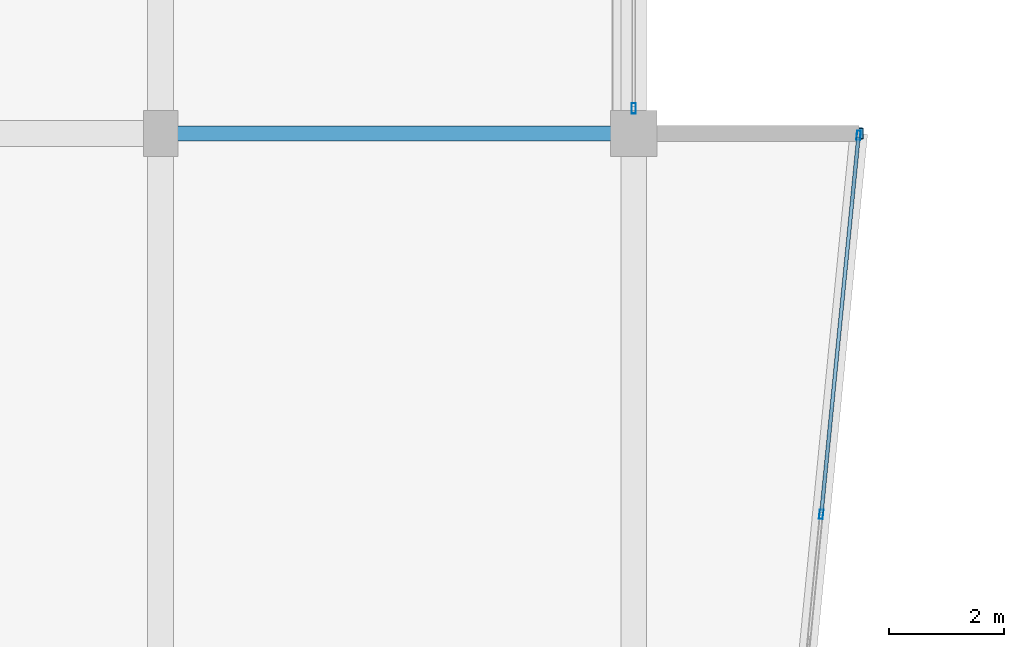
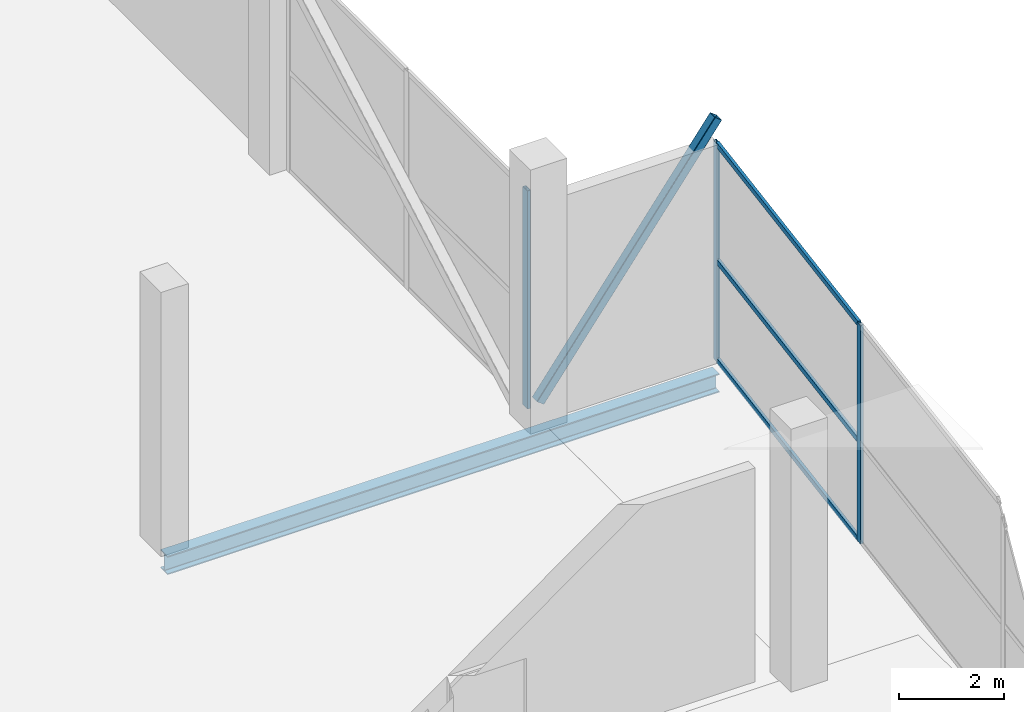
# One storey, part 23 of 58: 7 members, 1 beam, 2 elements without a shape of their own.
"""IFC4 building model written with IfcOpenShell, lengths in metres."""

from ifc_helpers import new_model, si_unit, direction, frame, origin, origin_2d, place, context, subcontext, project, spatial, hollow_rectangle, i_section, extrude, material, layer, layer_set, material_profile, profile_set, type_object, element, aggregate, save


model = new_model("IFC4")

# Units and contexts
model_context = context("Model", 3, precision=1e-05, world=origin(), true_north=direction((0.0, 1.0)))
body_context = subcontext(model_context, "Body", "Model", "MODEL_VIEW")
ifc_project = project(units=[si_unit("LENGTHUNIT", "METRE"), si_unit("AREAUNIT", "SQUARE_METRE"), si_unit("VOLUMEUNIT", "CUBIC_METRE"), si_unit("PLANEANGLEUNIT", "RADIAN"), si_unit("MASSUNIT", "GRAM", prefix="KILO")], contexts=[model_context])

# Site, building, storey
site_placement = place(None, origin())
site = spatial("IfcSite", under=ifc_project, at=site_placement, CompositionType="ELEMENT")
building_placement = place(site_placement, origin())
building = spatial("IfcBuilding", under=site, at=building_placement, Name="Sillaruma Civic Art Gallery", CompositionType="ELEMENT")
storey_placement = place(building_placement, frame((0.0, 0.0, 22.43994140625)))
storey = spatial("IfcBuildingStorey", under=building, at=storey_placement, Name="L04", CompositionType="ELEMENT", Elevation=22.43994140625)

# Beam
ifc_material_1 = material(Name="Structural Steel ASTM A992 Gr.50", Category="steel")
ifc_material_profile_1 = material_profile(ifc_material_1, i_section(OverallWidth=0.264892578125, OverallDepth=0.430908203125, WebThickness=0.014892578125, FlangeThickness=0.02490234375, FilletRadius=0.012939453125, at=origin_2d()), Name="W410x149")
ifc_profile_set_1 = profile_set([ifc_material_profile_1], Name="Structural Steel ASTM A992 Gr.50")
beam_type = type_object("IfcBeamType", Name="BM-PROW-W410x149", PredefinedType="BEAM", material=ifc_profile_set_1)
beam_placement = place(storey_placement, frame((106.199951171875, 69.300048828125, -0.475341796875), z_axis=(1.0, 0.0, 0.0), x_axis=(0.0, 1.0, 0.0)))
element("IfcBeam", 1, at=beam_placement, inside=storey, type_object=beam_type, Name="Back-Spanned Prow Beam (PRW-L04-E-FLR-N)", PredefinedType="BEAM", context=body_context, shape_type="SweptSolid", body=[
    extrude(i_section(OverallWidth=0.264892578125, OverallDepth=0.430908203125, WebThickness=0.014892578125, FlangeThickness=0.02490234375, FilletRadius=0.012939453125, at=origin_2d()), origin(), (0.0, 0.0, 1.0), 12.10009765625),
])

# Curtain wall, members
ifc_material_2 = material(Name="Thermally Broken Extruded Aluminium 6063-T6", Category="aluminium")
ifc_layer_1 = layer(ifc_material_2, 0.159912109375, Name="Thermally Broken Extruded Aluminium 6063-T6")
ifc_layer_set_1 = layer_set([ifc_layer_1], Name="Thermally Broken Extruded Aluminium 6063-T6")
curtain_wall_type_1 = type_object("IfcCurtainWallType", Name="CW-UNI-25", PredefinedType="NOTDEFINED", material=ifc_layer_set_1)
curtain_wall_1_placement = place(storey_placement, origin())
curtain_wall_1 = element("IfcCurtainWall", 2, at=curtain_wall_1_placement, inside=storey, type_object=curtain_wall_type_1, Name="Unitised Curtain Wall CW-25 (CW-PRW-L04-E-ANG)", PredefinedType="NOTDEFINED")
ifc_material_profile_2 = material_profile(ifc_material_2, hollow_rectangle(XDim=0.06494140625, YDim=0.159912109375, WallThickness=0.00390625, at=origin_2d()), Name="CWM65x160")
ifc_profile_set_2 = profile_set([ifc_material_profile_2], Name="Thermally Broken Extruded Aluminium 6063-T6")
member_type_1 = type_object("IfcMemberType", Name="MEM-MUL-CWM65x160", PredefinedType="MULLION", material=ifc_profile_set_2)
member_1_placement = place(storey_placement, frame((117.64990234375, 62.699951171875, 0.0), z_axis=(0.0, 0.0, 1.0), x_axis=(-0.99518536297, 0.098010679679, 0.0)))
member_1 = element("IfcMember", 3, at=member_1_placement, type_object=member_type_1, Name="CW-25 mullion 3", PredefinedType="MULLION", context=body_context, shape_type="SweptSolid", body=[
    extrude(hollow_rectangle(XDim=0.06494140625, YDim=0.159912109375, WallThickness=0.00390625, at=origin_2d()), origin(), (0.0, 0.0, 1.0), 5.06005859375),
])
member_2_placement = place(storey_placement, frame((118.296875, 69.267578125, 0.0), z_axis=(0.0, 0.0, 1.0), x_axis=(-0.99518536297, 0.098010679679, 0.0)))
member_2 = element("IfcMember", 4, at=member_2_placement, type_object=member_type_1, Name="CW-25 mullion 4", PredefinedType="MULLION", context=body_context, shape_type="SweptSolid", body=[
    extrude(hollow_rectangle(XDim=0.06494140625, YDim=0.159912109375, WallThickness=0.00390625, at=origin_2d()), origin(), (0.0, 0.0, 1.0), 5.06005859375),
])

# Curtain wall, member
ifc_layer_2 = layer(ifc_material_2, 0.179931640625, Name="Thermally Broken Extruded Aluminium 6063-T6")
ifc_layer_set_2 = layer_set([ifc_layer_2], Name="Thermally Broken Extruded Aluminium 6063-T6")
curtain_wall_type_2 = type_object("IfcCurtainWallType", Name="CW-UNI-21", PredefinedType="NOTDEFINED", material=ifc_layer_set_2)
curtain_wall_2_placement = place(storey_placement, origin())
curtain_wall_2 = element("IfcCurtainWall", 5, at=curtain_wall_2_placement, inside=storey, type_object=curtain_wall_type_2, Name="Unitised Curtain Wall CW-21 (CW-L04-E-6)", PredefinedType="NOTDEFINED")
ifc_material_profile_3 = material_profile(ifc_material_2, hollow_rectangle(XDim=0.070068359375, YDim=0.179931640625, WallThickness=0.00390625, at=origin_2d()), Name="CWM70x180")
ifc_profile_set_3 = profile_set([ifc_material_profile_3], Name="Thermally Broken Extruded Aluminium 6063-T6")
member_type_2 = type_object("IfcMemberType", Name="MEM-MUL-CWM70x180", PredefinedType="MULLION", material=ifc_profile_set_3)
member_3_placement = place(storey_placement, frame((114.39990234375, 69.735107421875, 0.0), z_axis=(0.0, 0.0, 1.0), x_axis=(-1.0, 0.0, 0.0)))
member_3 = element("IfcMember", 6, at=member_3_placement, type_object=member_type_2, Name="CW-21 mullion 1", PredefinedType="MULLION", context=body_context, shape_type="SweptSolid", body=[
    extrude(hollow_rectangle(XDim=0.070068359375, YDim=0.179931640625, WallThickness=0.00390625, at=origin_2d()), origin(), (0.0, 0.0, 1.0), 5.06005859375),
])
aggregate(curtain_wall_2, [member_3])

# Member
ifc_material_3 = material(Name="Structural Steel ASTM A500 Gr.C", Category="steel")
ifc_material_profile_4 = material_profile(ifc_material_3, hollow_rectangle(XDim=0.199951171875, YDim=0.199951171875, WallThickness=0.010009765625, InnerFilletRadius=0.010009765625, OuterFilletRadius=0.02001953125, at=origin_2d()), Name="HSS200x200x10")
ifc_profile_set_4 = profile_set([ifc_material_profile_4], Name="Structural Steel ASTM A500 Gr.C")
member_type_3 = type_object("IfcMemberType", Name="MEM-PROW-BRACE", PredefinedType="BRACE", material=ifc_profile_set_4)
member_4_placement = place(storey_placement, frame((114.39990234375, 69.300048828125, 0.400146484375), z_axis=(0.598219024702, 0.0, 0.801332639098), x_axis=(0.0, 1.0, 0.0)))
element("IfcMember", 7, at=member_4_placement, inside=storey, type_object=member_type_3, Name="Deconstructivist Prow Diagonal Brace (PRW-L04-E-ROF-N)", PredefinedType="BRACE", context=body_context, shape_type="SweptSolid", body=[
    extrude(hollow_rectangle(XDim=0.199951171875, YDim=0.199951171875, WallThickness=0.010009765625, InnerFilletRadius=0.010009765625, OuterFilletRadius=0.02001953125, at=origin_2d()), origin(), (0.0, 0.0, 1.0), 6.51953125),
])

ifc_material_profile_5 = material_profile(ifc_material_2, hollow_rectangle(XDim=0.06494140625, YDim=0.1201171875, WallThickness=0.00341796875, at=origin_2d()), Name="CWT65x120")
ifc_profile_set_5 = profile_set([ifc_material_profile_5], Name="Thermally Broken Extruded Aluminium 6063-T6")
member_type_4 = type_object("IfcMemberType", Name="MEM-TRN-CWT65x120", PredefinedType="USERDEFINED", material=ifc_profile_set_5)
member_5_placement = place(storey_placement, frame((117.653076171875, 62.732421875, 0.032470703125), z_axis=(0.098038712533, 0.99518260176, 0.0), x_axis=(-0.99518260176, 0.098038712533, 0.0)))
member_5 = element("IfcMember", 8, at=member_5_placement, type_object=member_type_4, Name="CW-25 transom 3.1", ObjectType="TRANSOM", PredefinedType="USERDEFINED", context=body_context, shape_type="SweptSolid", body=[
    extrude(hollow_rectangle(XDim=0.06494140625, YDim=0.1201171875, WallThickness=0.00341796875, at=origin_2d()), origin(), (0.0, 0.0, 1.0), 6.534423828125),
])

member_6_placement = place(storey_placement, frame((117.653076171875, 62.732421875, 2.32763671875), z_axis=(0.098038712533, 0.99518260176, 0.0), x_axis=(-0.99518260176, 0.098038712533, 0.0)))
member_6 = element("IfcMember", 9, at=member_6_placement, type_object=member_type_4, Name="CW-25 transom 3.2", ObjectType="TRANSOM", PredefinedType="USERDEFINED", context=body_context, shape_type="SweptSolid", body=[
    extrude(hollow_rectangle(XDim=0.06494140625, YDim=0.1201171875, WallThickness=0.00341796875, at=origin_2d()), origin(), (0.0, 0.0, 1.0), 6.534423828125),
])

member_7_placement = place(storey_placement, frame((117.653076171875, 62.732421875, 5.027587890625), z_axis=(0.098038712533, 0.99518260176, 0.0), x_axis=(-0.99518260176, 0.098038712533, 0.0)))
member_7 = element("IfcMember", 10, at=member_7_placement, type_object=member_type_4, Name="CW-25 transom 3.3", ObjectType="TRANSOM", PredefinedType="USERDEFINED", context=body_context, shape_type="SweptSolid", body=[
    extrude(hollow_rectangle(XDim=0.06494140625, YDim=0.1201171875, WallThickness=0.00341796875, at=origin_2d()), origin(), (0.0, 0.0, 1.0), 6.534423828125),
])

aggregate(curtain_wall_1, [member_1, member_2, member_5, member_6, member_7])

save(model, "model.ifc")
